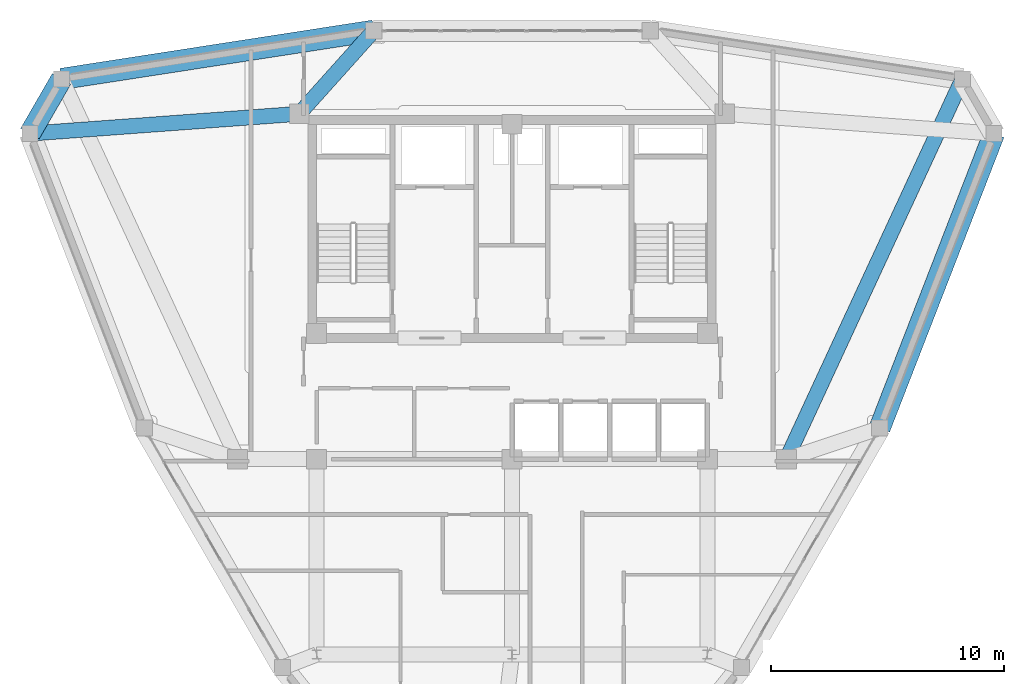
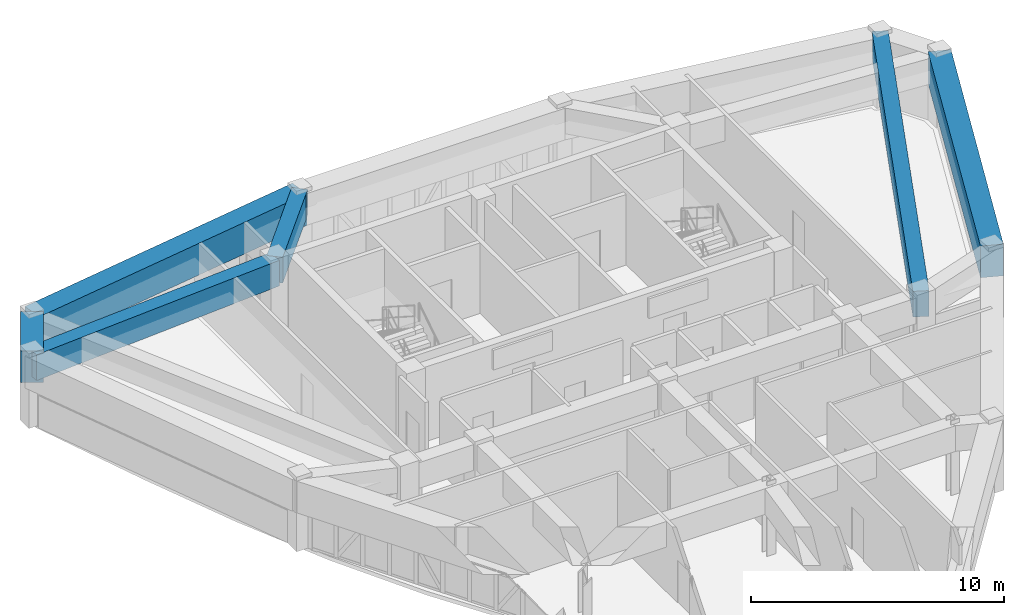
# One storey, part 8 of 14: 6 beams.
"""IFC4 building model written with IfcOpenShell, lengths in metres."""

from ifc_helpers import new_model, si_unit, derived_unit, direction, frame, origin, origin_2d, place, context, subcontext, project, spatial, rectangle, extrude, source, transform, mapped, material, material_profile, profile_set, type_object, element, save


model = new_model("IFC4")

# Units and contexts
model_context = context("Model", 3, precision=1e-05, world=origin(), true_north=direction((0.0, 1.0)))
body_context = subcontext(model_context, "Body", "Model", "MODEL_VIEW")
ifc_project = project(units=[si_unit("LENGTHUNIT", "METRE"), si_unit("AREAUNIT", "SQUARE_METRE"), si_unit("VOLUMEUNIT", "CUBIC_METRE"), si_unit("PLANEANGLEUNIT", "RADIAN"), si_unit("MASSUNIT", "GRAM", prefix="KILO"), derived_unit("THERMALTRANSMITTANCEUNIT", [(si_unit("POWERUNIT", "WATT"), 1), (si_unit("LENGTHUNIT", "METRE"), -2), (si_unit("THERMODYNAMICTEMPERATUREUNIT", "KELVIN"), -1)])], contexts=[model_context])

# Site, building, storey
site_placement = place(None, origin())
site = spatial("IfcSite", under=ifc_project, at=site_placement, CompositionType="ELEMENT")
building_placement = place(site_placement, origin())
building = spatial("IfcBuilding", under=site, at=building_placement, Name="Korsvarv Bourse and Concert Hall", CompositionType="ELEMENT")
storey_placement = place(building_placement, frame((0.0, 0.0, 257.39990234375)))
storey = spatial("IfcBuildingStorey", under=building, at=storey_placement, Name="L67", CompositionType="ELEMENT", Elevation=257.39990234375)

# Beams
ifc_material = material(Name="Concrete C50/60", Category="concrete")
ifc_material_profile_1 = material_profile(ifc_material, rectangle(XDim=0.919921875, YDim=1.530029296875, at=origin_2d()), Name="RC-BM 920x1530")
ifc_profile_set_1 = profile_set([ifc_material_profile_1], Name="Concrete C50/60")
beam_type_1 = type_object("IfcBeamType", Name="BM-TR-154", PredefinedType="BEAM", material=ifc_profile_set_1)
shared_shape_1 = source(origin(), body_context, "Body", "SweptSolid", [
    extrude(rectangle(XDim=0.919921875, YDim=1.530029296875, at=origin_2d()), origin(), (0.0, 0.0, 1.0), 2.71337890625),
])
beam_1_placement = place(storey_placement, frame((16.631591796875, 48.7490234375, 2.64501953125), z_axis=(-0.500000246922, -0.866025261224, 0.0), x_axis=(0.866025261224, -0.500000246922, 0.0)))
element("IfcBeam", 1, at=beam_1_placement, inside=storey, type_object=beam_type_1, Name="L67 beam B-TR6", PredefinedType="BEAM", context=body_context, shape_type="MappedRepresentation", body=[
    mapped(shared_shape_1, transform((0.0, 0.0, 0.0), scale=1.0)),
])
shared_shape_2 = source(origin(), body_context, "Body", "SweptSolid", [
    extrude(rectangle(XDim=0.919921875, YDim=1.530029296875, at=origin_2d()), origin(), (0.0, 0.0, 1.0), 13.581787109375),
])
beam_2_placement = place(storey_placement, frame((30.05419921875, 50.82275390625, 2.64501953125), z_axis=(-0.988275075433, -0.152683906414, 0.0), x_axis=(0.152683906414, -0.988275075433, 0.0)))
element("IfcBeam", 2, at=beam_2_placement, inside=storey, type_object=beam_type_1, Name="L67 beam B-TR6", PredefinedType="BEAM", context=body_context, shape_type="MappedRepresentation", body=[
    mapped(shared_shape_2, transform((0.0, 0.0, 0.0), scale=1.0)),
])
shared_shape_3 = source(origin(), body_context, "Body", "SweptSolid", [
    extrude(rectangle(XDim=0.919921875, YDim=1.530029296875, at=origin_2d()), origin(), (0.0, 0.0, 1.0), 13.58203125),
])
beam_3_placement = place(storey_placement, frame((51.809814453125, 33.73779296875, 2.64501953125), z_axis=(0.361897107662, 0.932218045023, 0.0), x_axis=(-0.932218045023, 0.361897107662, 0.0)))
element("IfcBeam", 3, at=beam_3_placement, inside=storey, type_object=beam_type_1, Name="L67 beam B-TR6", PredefinedType="BEAM", context=body_context, shape_type="MappedRepresentation", body=[
    mapped(shared_shape_3, transform((0.0, 0.0, 0.0), scale=1.0)),
])
ifc_material_profile_2 = material_profile(ifc_material, rectangle(XDim=0.64990234375, YDim=1.239990234375, at=origin_2d()), Name="RC-BM 650x1240")
ifc_profile_set_2 = profile_set([ifc_material_profile_2], Name="Concrete C50/60")
beam_type_2 = type_object("IfcBeamType", Name="BM-TR-SPN", PredefinedType="BEAM", material=ifc_profile_set_2)
shared_shape_4 = source(origin(), body_context, "Body", "SweptSolid", [
    extrude(rectangle(XDim=0.64990234375, YDim=1.239990234375, at=origin_2d()), origin(), (0.0, 0.0, 1.0), 11.6064453125),
])
beam_4_placement = place(storey_placement, frame((15.27490234375, 46.399169921875, 2.7900390625), z_axis=(0.997309434835, 0.073306829081, 0.0), x_axis=(-0.073306829081, 0.997309434835, 0.0)))
element("IfcBeam", 4, at=beam_4_placement, inside=storey, type_object=beam_type_2, Name="L67 beam B-TRS", PredefinedType="BEAM", context=body_context, shape_type="MappedRepresentation", body=[
    mapped(shared_shape_4, transform((0.0, 0.0, 0.0), scale=1.0)),
])
shared_shape_5 = source(origin(), body_context, "Body", "SweptSolid", [
    extrude(rectangle(XDim=0.64990234375, YDim=1.239990234375, at=origin_2d()), origin(), (0.0, 0.0, 1.0), 18.015869140625),
])
beam_5_placement = place(storey_placement, frame((55.368408203125, 48.7490234375, 2.7900390625), z_axis=(-0.420092569243, -0.907481257805, 0.0), x_axis=(0.907481257805, -0.420092569243, 0.0)))
element("IfcBeam", 5, at=beam_5_placement, inside=storey, type_object=beam_type_2, Name="L67 beam B-TRS", PredefinedType="BEAM", context=body_context, shape_type="MappedRepresentation", body=[
    mapped(shared_shape_5, transform((0.0, 0.0, 0.0), scale=1.0)),
])
shared_shape_6 = source(origin(), body_context, "Body", "SweptSolid", [
    extrude(rectangle(XDim=0.64990234375, YDim=1.239990234375, at=origin_2d()), origin(), (0.0, 0.0, 1.0), 4.799072265625),
])
beam_6_placement = place(storey_placement, frame((30.05419921875, 50.82275390625, 2.7900390625), z_axis=(-0.667653930614, -0.744471778468, 0.0), x_axis=(0.744471778468, -0.667653930614, 0.0)))
element("IfcBeam", 6, at=beam_6_placement, inside=storey, type_object=beam_type_2, Name="L67 beam B-TRS", PredefinedType="BEAM", context=body_context, shape_type="MappedRepresentation", body=[
    mapped(shared_shape_6, transform((0.0, 0.0, 0.0), scale=1.0)),
])

save(model, "model.ifc")
